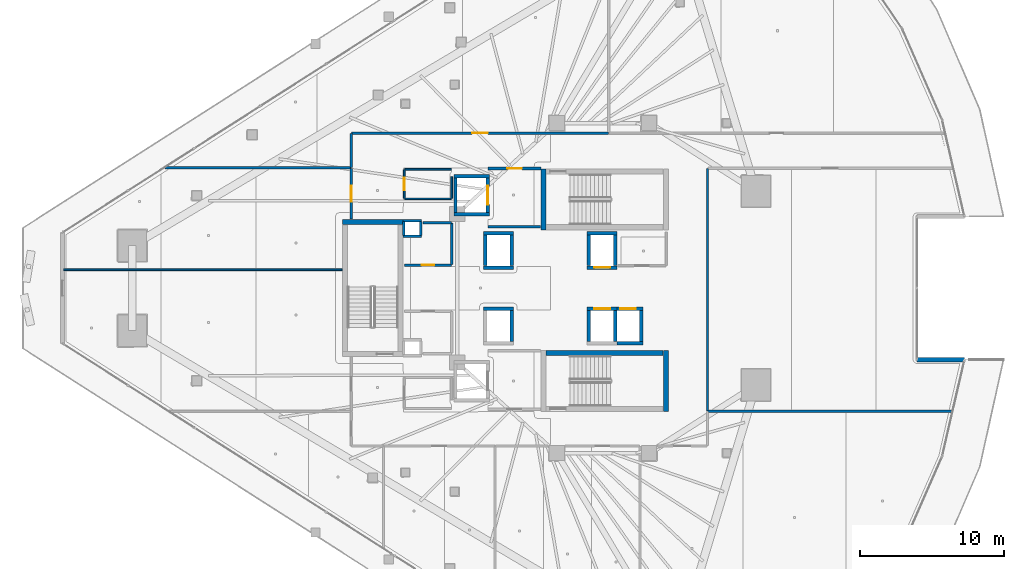
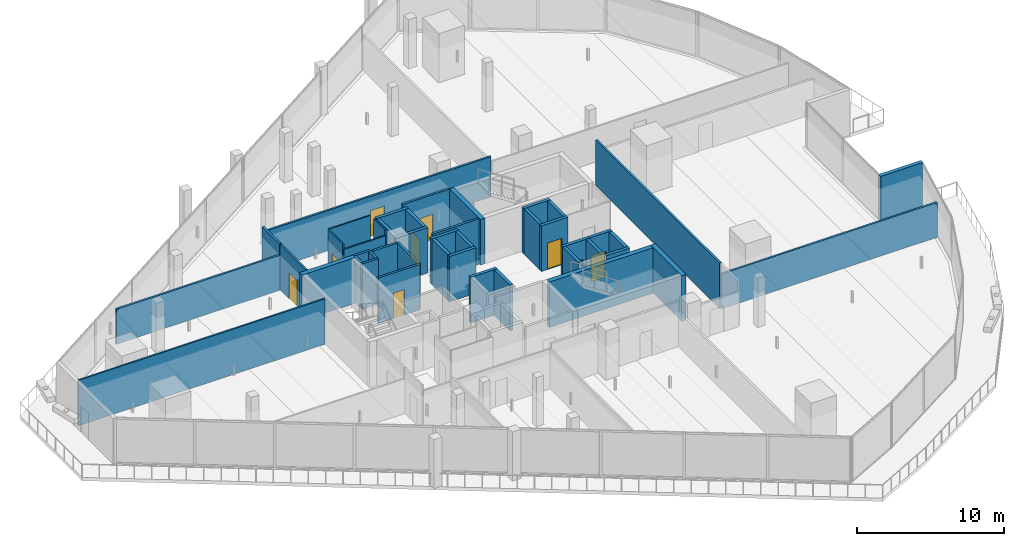
# One storey, part 28 of 42: 45 walls, 9 doors, 9 openings.
"""IFC4 building model written with IfcOpenShell, lengths in metres."""

from ifc_helpers import new_model, si_unit, direction, frame, frame_2d, origin, place, context, subcontext, project, spatial, rectangle, extrude, material, layer, layer_set, type_object, element, fill, save


model = new_model("IFC4")

# Units and contexts
model_context = context("Model", 3, precision=1e-05, world=origin(), true_north=direction((0.0, 1.0)))
body_context = subcontext(model_context, "Body", "Model", "MODEL_VIEW")
ifc_project = project(units=[si_unit("LENGTHUNIT", "METRE"), si_unit("AREAUNIT", "SQUARE_METRE"), si_unit("VOLUMEUNIT", "CUBIC_METRE"), si_unit("PLANEANGLEUNIT", "RADIAN"), si_unit("MASSUNIT", "GRAM", prefix="KILO")], contexts=[model_context])

# Site, building, storey
site_placement = place(None, origin())
site = spatial("IfcSite", under=ifc_project, at=site_placement, CompositionType="ELEMENT")
building_placement = place(site_placement, origin())
building = spatial("IfcBuilding", under=site, at=building_placement, Name="Qorvath Tower", CompositionType="ELEMENT")
storey_placement = place(building_placement, frame((0.0, 0.0, 117.89990234375)))
storey = spatial("IfcBuildingStorey", under=building, at=storey_placement, Name="L26", CompositionType="ELEMENT", Elevation=117.89990234375)

# Walls
ifc_material_1 = material(Name="Gypsum shaftliner on steel studs", Category="steel")
ifc_layer_1 = layer(ifc_material_1, 0.179931640625)
ifc_layer_set_1 = layer_set([ifc_layer_1], Name="FW-LOBBY")
wall_type_1 = type_object("IfcWallType", Name="FW-LOBBY", PredefinedType="PARTITIONING", material=ifc_layer_set_1)
for number, where, z_axis, x_axis, name in (
    (1, (-32.989990234375, 3.594970703125, 0.0), (0.0, 0.0, 1.0), (-1.0, 0.0, 0.0), "MEP Riser Shaft Enclosure Wall N-L26-S"),
    (2, (-34.260009765625, 4.675048828125, 0.0), (0.0, 0.0, 1.0), (1.0, 0.0, 0.0), "MEP Riser Shaft Enclosure Wall N-L26-N"),
):
    element("IfcWall", number, at=place(storey_placement, frame(where, z_axis=z_axis, x_axis=x_axis)), inside=storey, type_object=wall_type_1, Name=name, PredefinedType="PARTITIONING", context=body_context, shape_type="SweptSolid", body=[
        extrude(rectangle(XDim=1.27001953125, YDim=0.179931640625, at=frame_2d((0.635009765625, 0.0))), origin(), (0.0, 0.0, 1.0), 3.77001953125),
    ])
for number, where, z_axis, x_axis, name in (
    (3, (-34.205078125, 3.659912109375, 0.0), (0.0, 0.0, 1.0), (0.0, 1.0, 0.0), "MEP Riser Shaft Enclosure Wall N-L26-W"),
    (4, (-33.044921875, 4.610107421875, 0.0), (0.0, 0.0, 1.0), (0.0, -1.0, 0.0), "MEP Riser Shaft Enclosure Wall N-L26-E"),
):
    element("IfcWall", number, at=place(storey_placement, frame(where, z_axis=z_axis, x_axis=x_axis)), inside=storey, type_object=wall_type_1, Name=name, PredefinedType="PARTITIONING", context=body_context, shape_type="SweptSolid", body=[
        extrude(rectangle(XDim=0.9501953125, YDim=0.179931640625, at=frame_2d((0.47509765625, 0.0))), origin(), (0.0, 0.0, 1.0), 3.77001953125),
    ])
wall_1_placement = place(storey_placement, frame((-28.35498046875, 4.25, 0.0), z_axis=(0.0, 0.0, 1.0), x_axis=(1.0, 0.0, 0.0)))
element("IfcWall", 5, at=wall_1_placement, inside=storey, type_object=wall_type_1, Name="Interior Partition IW-T1-L26-001", PredefinedType="PARTITIONING", context=body_context, shape_type="SweptSolid", body=[
    extrude(rectangle(XDim=3.6220703125, YDim=0.179931640625, at=frame_2d((1.81103515625, 0.0))), origin(), (0.0, 0.0, 1.0), 3.77001953125),
])

# Wall, opening, door
wall_2_placement = place(storey_placement, frame((-24.68408203125, 8.300048828125, 0.0), z_axis=(0.0, 0.0, 1.0), x_axis=(-1.0, 0.0, 0.0)))
wall_2 = element("IfcWall", 6, at=wall_2_placement, inside=storey, type_object=wall_type_1, Name="Interior Partition IW-T1-L26-002", PredefinedType="PARTITIONING", context=body_context, shape_type="SweptSolid", body=[
    extrude(rectangle(XDim=3.6708984375, YDim=0.179931640625, at=frame_2d((1.83544921875, 0.0))), origin(), (0.0, 0.0, 1.0), 3.77001953125),
])
opening_1_placement = place(wall_2_placement, frame((1.33544921875, 0.0, 0.0)))
opening_1 = element("IfcOpeningElement", 7, at=opening_1_placement, cuts=wall_2, Name="Opening D-T1-L26-15", PredefinedType="OPENING", context=body_context, shape_type="SweptSolid", body=[
    extrude(rectangle(XDim=1.0, YDim=2.14990234375, at=frame_2d((0.5, 1.074951171875))), frame((0.0, 0.10009765625, 0.0), z_axis=(0.0, -1.0, 0.0), x_axis=(1.0, 0.0, 0.0)), (0.0, 0.0, 1.0), 0.199951171875),
])
ifc_material_2 = material(Name="Painted galvanised hollow metal", Category="steel")
door_type_1 = type_object("IfcDoorType", Name="FD-60", OperationType="NOTDEFINED", PredefinedType="DOOR", material=ifc_material_2)
door_1_placement = place(opening_1_placement, origin())
door_1 = element("IfcDoor", 8, at=door_1_placement, inside=storey, type_object=door_type_1, Name="Lobby Fire Service Elevator North Door D-T1-L26-15", OperationType="SINGLE_SWING_RIGHT", OverallHeight=2.14990234375, OverallWidth=1.0, PredefinedType="DOOR", context=body_context, shape_type="SweptSolid", body=[
    extrude(rectangle(XDim=1.0, YDim=2.14990234375, at=frame_2d((0.5, 1.074951171875))), frame((0.0, 0.02490234375, 0.0), z_axis=(0.0, -1.0, 0.0), x_axis=(1.0, 0.0, 0.0)), (0.0, 0.0, 1.0), 0.050048828125),
])
fill(opening_1, door_1)

wall_3_placement = place(storey_placement, frame((-34.15478515625, 1.60009765625, 0.0), z_axis=(0.0, 0.0, 1.0), x_axis=(1.0, 0.0, 0.0)))
wall_3 = element("IfcWall", 9, at=wall_3_placement, inside=storey, type_object=wall_type_1, Name="Interior Partition IW-T1-L26-015", PredefinedType="PARTITIONING", context=body_context, shape_type="SweptSolid", body=[
    extrude(rectangle(XDim=3.25, YDim=0.179931640625, at=frame_2d((1.625, 0.0))), origin(), (0.0, 0.0, 1.0), 3.77001953125),
])
opening_2_placement = place(wall_3_placement, frame((1.18505859375, 0.0, 0.0)))
opening_2 = element("IfcOpeningElement", 10, at=opening_2_placement, cuts=wall_3, Name="Opening D-T1-L26-04", PredefinedType="OPENING", context=body_context, shape_type="SweptSolid", body=[
    extrude(rectangle(XDim=0.8798828125, YDim=2.10009765625, at=frame_2d((0.43994140625, 1.050048828125))), frame((0.0, 0.10009765625, 0.0), z_axis=(0.0, -1.0, 0.0), x_axis=(1.0, 0.0, 0.0)), (0.0, 0.0, 1.0), 0.199951171875),
])
ifc_material_3 = material(Name="Painted galvanised hollow metal", Category="steel")
door_type_2 = type_object("IfcDoorType", Name="FD-60N", OperationType="NOTDEFINED", PredefinedType="DOOR", material=ifc_material_3)
door_2_placement = place(opening_2_placement, origin())
door_2 = element("IfcDoor", 11, at=door_2_placement, inside=storey, type_object=door_type_2, Name="Core telecom and comms room L26 Door D-T1-L26-04", OperationType="SINGLE_SWING_LEFT", OverallHeight=2.10009765625, OverallWidth=0.8798828125, PredefinedType="DOOR", context=body_context, shape_type="SweptSolid", body=[
    extrude(rectangle(XDim=0.8798828125, YDim=2.10009765625, at=frame_2d((0.43994140625, 1.050048828125))), frame((0.0, 0.02490234375, 0.0), z_axis=(0.0, -1.0, 0.0), x_axis=(1.0, 0.0, 0.0)), (0.0, 0.0, 1.0), 0.050048828125),
])
fill(opening_2, door_2)

# Walls
wall_4_placement = place(storey_placement, frame((-30.8798828125, 1.625, 0.0), z_axis=(0.0, 0.0, 1.0), x_axis=(0.0, 1.0, 0.0)))
element("IfcWall", 12, at=wall_4_placement, inside=storey, type_object=wall_type_1, Name="Interior Partition IW-T1-L26-016", PredefinedType="PARTITIONING", context=body_context, shape_type="SweptSolid", body=[
    extrude(rectangle(XDim=2.889892578125, YDim=0.179931640625, at=frame_2d((1.44482421875, 0.0))), origin(), (0.0, 0.0, 1.0), 3.77001953125),
])
wall_5_placement = place(storey_placement, frame((-30.90478515625, 4.5400390625, 0.0), z_axis=(0.0, 0.0, 1.0), x_axis=(-1.0, 0.0, 0.0)))
element("IfcWall", 13, at=wall_5_placement, inside=storey, type_object=wall_type_1, Name="Interior Partition IW-T1-L26-017", PredefinedType="PARTITIONING", context=body_context, shape_type="SweptSolid", body=[
    extrude(rectangle(XDim=1.97509765625, YDim=0.179931640625, at=frame_2d((0.987548828125, 0.0))), origin(), (0.0, 0.0, 1.0), 3.77001953125),
])
ifc_material_4 = material(Name="Double acoustic gypsum board on steel studs", Category="steel")
ifc_layer_2 = layer(ifc_material_4, 0.159912109375)
ifc_layer_set_2 = layer_set([ifc_layer_2], Name="IW-ACOUSTIC-160")
wall_type_2 = type_object("IfcWallType", Name="IW-ACOUSTIC-160", PredefinedType="PARTITIONING", material=ifc_layer_set_2)
wall_6_placement = place(storey_placement, frame((-50.76611328125, 8.35009765625, 0.0), z_axis=(0.0, 0.0, 1.0), x_axis=(1.0, 0.0, 0.0)))
element("IfcWall", 14, at=wall_6_placement, inside=storey, type_object=wall_type_2, Name="Interior Partition IW-T1-L26-021", PredefinedType="PARTITIONING", context=body_context, shape_type="SweptSolid", body=[
    extrude(rectangle(XDim=12.88330078125, YDim=0.159912109375, at=frame_2d((6.441650390625, 0.0))), origin(), (0.0, 0.0, 1.0), 2.889892578125),
])
wall_7_placement = place(storey_placement, frame((-37.85791015625, 10.733154296875, 0.0), z_axis=(0.0, 0.0, 1.0), x_axis=(0.0, -1.0, 0.0)))
element("IfcWall", 15, at=wall_7_placement, inside=storey, type_object=wall_type_2, Name="Interior Partition IW-T1-L26-022", PredefinedType="PARTITIONING", context=body_context, shape_type="SweptSolid", body=[
    extrude(rectangle(XDim=2.358154296875, YDim=0.159912109375, at=frame_2d((1.17919921875, 0.0))), origin(), (0.0, 0.0, 1.0), 3.77001953125),
])

# Wall, opening, door
wall_8_placement = place(storey_placement, frame((-37.8330078125, 10.758056640625, 0.0), z_axis=(0.0, 0.0, 1.0), x_axis=(1.0, 0.0, 0.0)))
wall_8 = element("IfcWall", 16, at=wall_8_placement, inside=storey, type_object=wall_type_2, Name="Interior Partition IW-T1-L26-023", PredefinedType="PARTITIONING", context=body_context, shape_type="SweptSolid", body=[
    extrude(rectangle(XDim=17.8154296875, YDim=0.159912109375, at=frame_2d((8.90771484375, 0.0))), origin(), (0.0, 0.0, 1.0), 3.333984375),
])
opening_3_placement = place(wall_8_placement, frame((8.357666015625, 0.0, 0.0)))
opening_3 = element("IfcOpeningElement", 17, at=opening_3_placement, cuts=wall_8, Name="Opening D-T1-L26-06", PredefinedType="OPENING", context=body_context, shape_type="SweptSolid", body=[
    extrude(rectangle(XDim=1.10009765625, YDim=2.14990234375, at=frame_2d((0.550048828125, 1.074951171875))), frame((0.0, 0.08984375, 0.0), z_axis=(0.0, -1.0, 0.0), x_axis=(1.0, 0.0, 0.0)), (0.0, 0.0, 1.0), 0.179931640625),
])
ifc_material_5 = material(Name="Anodised aluminium acoustic framed glass", Category="aluminium")
door_type_3 = type_object("IfcDoorType", Name="D-03", OperationType="NOTDEFINED", PredefinedType="DOOR", material=ifc_material_5)
door_3_placement = place(opening_3_placement, origin())
door_3 = element("IfcDoor", 18, at=door_3_placement, inside=storey, type_object=door_type_3, Name="L26-01 Client Services Office Door D-T1-L26-06", OperationType="SINGLE_SWING_LEFT", OverallHeight=2.14990234375, OverallWidth=1.10009765625, PredefinedType="DOOR", context=body_context, shape_type="SweptSolid", body=[
    extrude(rectangle(XDim=1.10009765625, YDim=2.14990234375, at=frame_2d((0.550048828125, 1.074951171875))), frame((0.0, 0.02490234375, 0.0), z_axis=(0.0, -1.0, 0.0), x_axis=(1.0, 0.0, 0.0)), (0.0, 0.0, 1.0), 0.050048828125),
])
fill(opening_3, door_3)

# Walls
wall_9_placement = place(storey_placement, frame((3.794189453125, -8.534423828125, 0.0), z_axis=(0.0, 0.0, 1.0), x_axis=(-0.999999573173, -0.000923933833, 0.0)))
element("IfcWall", 19, at=wall_9_placement, inside=storey, type_object=wall_type_2, Name="Interior Partition IW-T1-L26-035", PredefinedType="PARTITIONING", context=body_context, shape_type="SweptSolid", body=[
    extrude(rectangle(XDim=16.911376953125, YDim=0.159912109375, at=frame_2d((8.45556640625, 0.0))), origin(), (0.0, 0.0, 1.0), 2.885009765625),
])
wall_10_placement = place(storey_placement, frame((-13.14208984375, 8.287109375, 0.0), z_axis=(0.0, 0.0, 1.0), x_axis=(0.0, -1.0, 0.0)))
element("IfcWall", 20, at=wall_10_placement, inside=storey, type_object=wall_type_2, Name="Interior Partition IW-T1-L26-039", PredefinedType="PARTITIONING", context=body_context, shape_type="SweptSolid", body=[
    extrude(rectangle(XDim=16.80419921875, YDim=0.159912109375, at=frame_2d((8.402099609375, 0.0))), origin(), (0.0, 0.0, 1.0), 3.77001953125),
])

# Wall, opening, door
wall_11_placement = place(storey_placement, frame((-37.85791015625, 4.783203125, 0.0), z_axis=(0.0, 0.0, 1.0), x_axis=(0.0, 1.0, 0.0)))
wall_11 = element("IfcWall", 21, at=wall_11_placement, inside=storey, type_object=wall_type_2, Name="Interior Partition IW-T1-L26-042", PredefinedType="PARTITIONING", context=body_context, shape_type="SweptSolid", body=[
    extrude(rectangle(XDim=3.53369140625, YDim=0.159912109375, at=frame_2d((1.766845703125, 0.0))), origin(), (0.0, 0.0, 1.0), 3.77001953125),
])
opening_4_placement = place(wall_11_placement, frame((1.216796875, 0.0, 0.0)))
opening_4 = element("IfcOpeningElement", 22, at=opening_4_placement, cuts=wall_11, Name="Opening D-T1-L26-14", PredefinedType="OPENING", context=body_context, shape_type="SweptSolid", body=[
    extrude(rectangle(XDim=1.10009765625, YDim=2.14990234375, at=frame_2d((0.550048828125, 1.074951171875))), frame((0.0, 0.08984375, 0.0), z_axis=(0.0, -1.0, 0.0), x_axis=(1.0, 0.0, 0.0)), (0.0, 0.0, 1.0), 0.179931640625),
])
door_4_placement = place(opening_4_placement, origin())
door_4 = element("IfcDoor", 23, at=door_4_placement, inside=storey, type_object=door_type_3, Name="L26-09 Enclosed Conference Suite Door D-T1-L26-14", OperationType="SINGLE_SWING_LEFT", OverallHeight=2.14990234375, OverallWidth=1.10009765625, PredefinedType="DOOR", context=body_context, shape_type="SweptSolid", body=[
    extrude(rectangle(XDim=1.10009765625, YDim=2.14990234375, at=frame_2d((0.550048828125, 1.074951171875))), frame((0.0, 0.02490234375, 0.0), z_axis=(0.0, -1.0, 0.0), x_axis=(1.0, 0.0, 0.0)), (0.0, 0.0, 1.0), 0.050048828125),
])
fill(opening_4, door_4)

# Wall
ifc_material_6 = material(Name="Gypsum board on metal studs with mineral wool", Category="gypsum")
ifc_layer_3 = layer(ifc_material_6, 0.125)
ifc_layer_set_3 = layer_set([ifc_layer_3], Name="IW-PART-125")
wall_type_3 = type_object("IfcWallType", Name="IW-PART-125", PredefinedType="PARTITIONING", material=ifc_layer_set_3)
wall_12_placement = place(storey_placement, frame((-38.492919921875, 1.271484375, 0.0), z_axis=(0.0, 0.0, 1.0), x_axis=(-0.999999998722, 5.0556756e-05, 0.0)))
element("IfcWall", 24, at=wall_12_placement, inside=storey, type_object=wall_type_3, Name="Interior Partition IW-T1-L26-041", PredefinedType="PARTITIONING", context=body_context, shape_type="SweptSolid", body=[
    extrude(rectangle(XDim=19.316162109375, YDim=0.125, at=frame_2d((9.658203125, 0.0))), origin(), (0.0, 0.0, 1.0), 3.77001953125),
])

# Wall, opening, door
ifc_material_7 = material(Name="Moisture-resistant cement board on metal studs", Category="gypsum")
ifc_layer_4 = layer(ifc_material_7, 0.110107421875)
ifc_layer_set_4 = layer_set([ifc_layer_4], Name="IW-WC-110")
wall_type_4 = type_object("IfcWallType", Name="IW-WC-110", PredefinedType="PARTITIONING", material=ifc_layer_set_4)
wall_13_placement = place(storey_placement, frame((-34.179931640625, 8.22509765625, 0.0), z_axis=(0.0, 0.0, 1.0), x_axis=(0.0, -1.0, 0.0)))
wall_13 = element("IfcWall", 25, at=wall_13_placement, inside=storey, type_object=wall_type_4, Name="Interior Partition IW-T1-L26-005", PredefinedType="PARTITIONING", context=body_context, shape_type="SweptSolid", body=[
    extrude(rectangle(XDim=2.0, YDim=0.110107421875, at=frame_2d((1.0, 0.0))), origin(), (0.0, 0.0, 1.0), 3.77001953125),
])
opening_5_placement = place(wall_13_placement, frame((0.56005859375, 0.0, 0.0)))
opening_5 = element("IfcOpeningElement", 26, at=opening_5_placement, cuts=wall_13, Name="Opening D-T1-L26-01", PredefinedType="OPENING", context=body_context, shape_type="SweptSolid", body=[
    extrude(rectangle(XDim=0.8798828125, YDim=2.10009765625, at=frame_2d((0.43994140625, 1.050048828125))), frame((0.0, 0.06494140625, 0.0), z_axis=(0.0, -1.0, 0.0), x_axis=(1.0, 0.0, 0.0)), (0.0, 0.0, 1.0), 0.130126953125),
])
ifc_material_8 = material(Name="Solid-core oak with acoustic drop seal", Category="wood")
door_type_4 = type_object("IfcDoorType", Name="D-02", OperationType="NOTDEFINED", PredefinedType="DOOR", material=ifc_material_8)
door_5_placement = place(opening_5_placement, origin())
door_5 = element("IfcDoor", 27, at=door_5_placement, inside=storey, type_object=door_type_4, Name="WC All-Gender North L26 Door D-T1-L26-01", OperationType="SINGLE_SWING_RIGHT", OverallHeight=2.10009765625, OverallWidth=0.8798828125, PredefinedType="DOOR", context=body_context, shape_type="SweptSolid", body=[
    extrude(rectangle(XDim=0.8798828125, YDim=2.10009765625, at=frame_2d((0.43994140625, 1.050048828125))), frame((0.0, 0.02490234375, 0.0), z_axis=(0.0, -1.0, 0.0), x_axis=(1.0, 0.0, 0.0)), (0.0, 0.0, 1.0), 0.050048828125),
])
fill(opening_5, door_5)

# Walls
wall_14_placement = place(storey_placement, frame((-34.15478515625, 6.199951171875, 0.0), z_axis=(0.0, 0.0, 1.0), x_axis=(1.0, 0.0, 0.0)))
element("IfcWall", 28, at=wall_14_placement, inside=storey, type_object=wall_type_4, Name="Interior Partition IW-T1-L26-006", PredefinedType="PARTITIONING", context=body_context, shape_type="SweptSolid", body=[
    extrude(rectangle(XDim=3.25, YDim=0.110107421875, at=frame_2d((1.625, 0.0))), origin(), (0.0, 0.0, 1.0), 3.333984375),
])
wall_15_placement = place(storey_placement, frame((-30.8798828125, 6.22509765625, 0.0), z_axis=(0.0, 0.0, 1.0), x_axis=(0.0, 1.0, 0.0)))
element("IfcWall", 29, at=wall_15_placement, inside=storey, type_object=wall_type_4, Name="Interior Partition IW-T1-L26-007", PredefinedType="PARTITIONING", context=body_context, shape_type="SweptSolid", body=[
    extrude(rectangle(XDim=1.517822265625, YDim=0.110107421875, at=frame_2d((0.7587890625, 0.0))), origin(), (0.0, 0.0, 1.0), 3.77001953125),
])
wall_16_placement = place(storey_placement, frame((-30.90478515625, 8.25, 0.0), z_axis=(0.0, 0.0, 1.0), x_axis=(-1.0, 0.0, 0.0)))
element("IfcWall", 30, at=wall_16_placement, inside=storey, type_object=wall_type_4, Name="Interior Partition IW-T1-L26-008", PredefinedType="PARTITIONING", context=body_context, shape_type="SweptSolid", body=[
    extrude(rectangle(XDim=3.25, YDim=0.110107421875, at=frame_2d((1.625, 0.0))), origin(), (0.0, 0.0, 1.0), 3.77001953125),
])
ifc_material_9 = material(Name="Concrete C60/75", Category="concrete")
ifc_layer_5 = layer(ifc_material_9, 0.260009765625)
ifc_layer_set_5 = layer_set([ifc_layer_5], Name="SW-SHAFT")
wall_type_5 = type_object("IfcWallType", Name="SW-SHAFT", PredefinedType="SHEAR", material=ifc_layer_set_5)
for number, where, z_axis, x_axis, name in (
    (31, (-28.260009765625, 5.1298828125, 0.0), (0.0, 0.0, 1.0), (-1.0, 0.0, 0.0), "Hoistway Wall FSAE-1 L26 S"),
    (32, (-30.739990234375, 7.77001953125, 0.0), (0.0, 0.0, 1.0), (1.0, 0.0, 0.0), "Hoistway Wall FSAE-1 L26 N"),
):
    element("IfcWall", number, at=place(storey_placement, frame(where, z_axis=z_axis, x_axis=x_axis)), inside=storey, type_object=wall_type_5, Name=name, PredefinedType="SHEAR", context=body_context, shape_type="SweptSolid", body=[
        extrude(rectangle(XDim=2.47998046875, YDim=0.239990234375, at=frame_2d((1.239990234375, 0.0))), origin(), (0.0, 0.0, 1.0), 3.77001953125),
    ])
wall_17_placement = place(storey_placement, frame((-30.6201171875, 5.261962890625, 0.0), z_axis=(0.0, 0.0, 1.0), x_axis=(0.0, 1.0, 0.0)))
element("IfcWall", 33, at=wall_17_placement, inside=storey, type_object=wall_type_5, Name="Hoistway Wall FSAE-1 L26 W", PredefinedType="SHEAR", context=body_context, shape_type="SweptSolid", body=[
    extrude(rectangle(XDim=2.3759765625, YDim=0.239990234375, at=frame_2d((1.18798828125, 0.0))), origin(), (0.0, 0.0, 1.0), 3.77001953125),
])

# Wall, opening, door
wall_18_placement = place(storey_placement, frame((-28.3798828125, 7.637939453125, 0.0), z_axis=(0.0, 0.0, 1.0), x_axis=(0.0, -1.0, 0.0)))
wall_18 = element("IfcWall", 34, at=wall_18_placement, inside=storey, type_object=wall_type_5, Name="Hoistway Wall FSAE-1 L26 E", PredefinedType="SHEAR", context=body_context, shape_type="SweptSolid", body=[
    extrude(rectangle(XDim=2.3759765625, YDim=0.239990234375, at=frame_2d((1.18798828125, 0.0))), origin(), (0.0, 0.0, 1.0), 3.77001953125),
])
opening_6_placement = place(wall_18_placement, frame((0.537841796875, 0.0, 0.0)))
opening_6 = element("IfcOpeningElement", 35, at=opening_6_placement, cuts=wall_18, Name="Opening LD-FSAE-1-L26", PredefinedType="OPENING", context=body_context, shape_type="SweptSolid", body=[
    extrude(rectangle(XDim=1.300048828125, YDim=2.300048828125, at=frame_2d((0.64990234375, 1.14990234375))), frame((0.0, 0.1298828125, 0.0), z_axis=(0.0, -1.0, 0.0), x_axis=(1.0, 0.0, 0.0)), (0.0, 0.0, 1.0), 0.260009765625),
])
ifc_material_10 = material(Name="Brushed stainless steel AISI 316", Category="steel")
door_type_5 = type_object("IfcDoorType", Name="LD-02", OperationType="NOTDEFINED", PredefinedType="DOOR", material=ifc_material_10)
door_6_placement = place(opening_6_placement, origin())
door_6 = element("IfcDoor", 36, at=door_6_placement, inside=storey, type_object=door_type_5, Name="Elevator Landing Sliding Door LD-FSAE-1-L26", OperationType="DOUBLE_DOOR_SLIDING", OverallHeight=2.300048828125, OverallWidth=1.300048828125, PredefinedType="DOOR", context=body_context, shape_type="SweptSolid", body=[
    extrude(rectangle(XDim=1.300048828125, YDim=2.300048828125, at=frame_2d((0.64990234375, 1.14990234375))), frame((0.0, 0.02490234375, 0.0), z_axis=(0.0, -1.0, 0.0), x_axis=(1.0, 0.0, 0.0)), (0.0, 0.0, 1.0), 0.050048828125),
])
fill(opening_6, door_6)

# Walls
for number, where, z_axis, x_axis, name in (
    (37, (-26.610107421875, 1.429931640625, 0.0), (0.0, 0.0, 1.0), (-1.0, 0.0, 0.0), "Hoistway Wall PS-1 L26 S"),
    (38, (-28.68994140625, 3.820068359375, 0.0), (0.0, 0.0, 1.0), (1.0, 0.0, 0.0), "Hoistway Wall PS-1 L26 N"),
):
    element("IfcWall", number, at=place(storey_placement, frame(where, z_axis=z_axis, x_axis=x_axis)), inside=storey, type_object=wall_type_5, Name=name, PredefinedType="SHEAR", context=body_context, shape_type="SweptSolid", body=[
        extrude(rectangle(XDim=2.079833984375, YDim=0.239990234375, at=frame_2d((1.0400390625, 0.0))), origin(), (0.0, 0.0, 1.0), 3.77001953125),
    ])
for number, where, z_axis, x_axis, name in (
    (39, (-28.570068359375, 1.56201171875, 0.0), (0.0, 0.0, 1.0), (0.0, 1.0, 0.0), "Hoistway Wall PS-1 L26 W"),
    (40, (-26.72998046875, 3.68798828125, 0.0), (0.0, 0.0, 1.0), (0.0, -1.0, 0.0), "Hoistway Wall PS-1 L26 E"),
):
    element("IfcWall", number, at=place(storey_placement, frame(where, z_axis=z_axis, x_axis=x_axis)), inside=storey, type_object=wall_type_5, Name=name, PredefinedType="SHEAR", context=body_context, shape_type="SweptSolid", body=[
        extrude(rectangle(XDim=2.1259765625, YDim=0.239990234375, at=frame_2d((1.06298828125, 0.0))), origin(), (0.0, 0.0, 1.0), 3.77001953125),
    ])

# Wall, opening, door
wall_19_placement = place(storey_placement, frame((-19.409912109375, 1.429931640625, 0.0), z_axis=(0.0, 0.0, 1.0), x_axis=(-1.0, 0.0, 0.0)))
wall_19 = element("IfcWall", 41, at=wall_19_placement, inside=storey, type_object=wall_type_5, Name="Hoistway Wall PM-1 L26 S", PredefinedType="SHEAR", context=body_context, shape_type="SweptSolid", body=[
    extrude(rectangle(XDim=2.080078125, YDim=0.239990234375, at=frame_2d((1.0400390625, 0.0))), origin(), (0.0, 0.0, 1.0), 3.77001953125),
])
opening_7_placement = place(wall_19_placement, frame((0.489990234375, 0.0, 0.0)))
opening_7 = element("IfcOpeningElement", 42, at=opening_7_placement, cuts=wall_19, Name="Opening LD-PM-1-L26", PredefinedType="OPENING", context=body_context, shape_type="SweptSolid", body=[
    extrude(rectangle(XDim=1.10009765625, YDim=2.199951171875, at=frame_2d((0.550048828125, 1.10009765625))), frame((0.0, 0.1298828125, 0.0), z_axis=(0.0, -1.0, 0.0), x_axis=(1.0, 0.0, 0.0)), (0.0, 0.0, 1.0), 0.260009765625),
])
ifc_material_11 = material(Name="Brushed stainless steel AISI 316", Category="steel")
door_type_6 = type_object("IfcDoorType", Name="LD-01", OperationType="NOTDEFINED", PredefinedType="DOOR", material=ifc_material_11)
door_7_placement = place(opening_7_placement, origin())
door_7 = element("IfcDoor", 43, at=door_7_placement, inside=storey, type_object=door_type_6, Name="Elevator Landing Sliding Door LD-PM-1-L26", OperationType="DOUBLE_DOOR_SLIDING", OverallHeight=2.199951171875, OverallWidth=1.10009765625, PredefinedType="DOOR", context=body_context, shape_type="SweptSolid", body=[
    extrude(rectangle(XDim=1.10009765625, YDim=2.199951171875, at=frame_2d((0.550048828125, 1.10009765625))), frame((0.0, 0.02490234375, 0.0), z_axis=(0.0, -1.0, 0.0), x_axis=(1.0, 0.0, 0.0)), (0.0, 0.0, 1.0), 0.050048828125),
])
fill(opening_7, door_7)

# Walls
wall_20_placement = place(storey_placement, frame((-21.489990234375, 3.820068359375, 0.0), z_axis=(0.0, 0.0, 1.0), x_axis=(1.0, 0.0, 0.0)))
element("IfcWall", 44, at=wall_20_placement, inside=storey, type_object=wall_type_5, Name="Hoistway Wall PM-1 L26 N", PredefinedType="SHEAR", context=body_context, shape_type="SweptSolid", body=[
    extrude(rectangle(XDim=2.080078125, YDim=0.239990234375, at=frame_2d((1.0400390625, 0.0))), origin(), (0.0, 0.0, 1.0), 3.77001953125),
])
for number, where, z_axis, x_axis, name in (
    (45, (-21.3701171875, 1.56201171875, 0.0), (0.0, 0.0, 1.0), (0.0, 1.0, 0.0), "Hoistway Wall PM-1 L26 W"),
    (46, (-19.530029296875, 3.68798828125, 0.0), (0.0, 0.0, 1.0), (0.0, -1.0, 0.0), "Hoistway Wall PM-1 L26 E"),
):
    element("IfcWall", number, at=place(storey_placement, frame(where, z_axis=z_axis, x_axis=x_axis)), inside=storey, type_object=wall_type_5, Name=name, PredefinedType="SHEAR", context=body_context, shape_type="SweptSolid", body=[
        extrude(rectangle(XDim=2.1259765625, YDim=0.239990234375, at=frame_2d((1.06298828125, 0.0))), origin(), (0.0, 0.0, 1.0), 3.77001953125),
    ])
wall_21_placement = place(storey_placement, frame((-28.68994140625, -1.429931640625, 0.0), z_axis=(0.0, 0.0, 1.0), x_axis=(1.0, 0.0, 0.0)))
element("IfcWall", 47, at=wall_21_placement, inside=storey, type_object=wall_type_5, Name="Hoistway Wall PS-2 L26 N", PredefinedType="SHEAR", context=body_context, shape_type="SweptSolid", body=[
    extrude(rectangle(XDim=2.079833984375, YDim=0.239990234375, at=frame_2d((1.0400390625, 0.0))), origin(), (0.0, 0.0, 1.0), 3.77001953125),
])
wall_22_placement = place(storey_placement, frame((-26.72998046875, -1.56201171875, 0.0), z_axis=(0.0, 0.0, 1.0), x_axis=(0.0, -1.0, 0.0)))
element("IfcWall", 48, at=wall_22_placement, inside=storey, type_object=wall_type_5, Name="Hoistway Wall PS-2 L26 E", PredefinedType="SHEAR", context=body_context, shape_type="SweptSolid", body=[
    extrude(rectangle(XDim=2.1259765625, YDim=0.239990234375, at=frame_2d((1.06298828125, 0.0))), origin(), (0.0, 0.0, 1.0), 3.77001953125),
])

# Wall, opening, door
wall_23_placement = place(storey_placement, frame((-21.489990234375, -1.429931640625, 0.0), z_axis=(0.0, 0.0, 1.0), x_axis=(1.0, 0.0, 0.0)))
wall_23 = element("IfcWall", 49, at=wall_23_placement, inside=storey, type_object=wall_type_5, Name="Hoistway Wall PM-2 L26 N", PredefinedType="SHEAR", context=body_context, shape_type="SweptSolid", body=[
    extrude(rectangle(XDim=2.080078125, YDim=0.239990234375, at=frame_2d((1.0400390625, 0.0))), origin(), (0.0, 0.0, 1.0), 3.77001953125),
])
opening_8_placement = place(wall_23_placement, frame((0.489990234375, 0.0, 0.0)))
opening_8 = element("IfcOpeningElement", 50, at=opening_8_placement, cuts=wall_23, Name="Opening LD-PM-2-L26", PredefinedType="OPENING", context=body_context, shape_type="SweptSolid", body=[
    extrude(rectangle(XDim=1.10009765625, YDim=2.199951171875, at=frame_2d((0.550048828125, 1.10009765625))), frame((0.0, 0.1298828125, 0.0), z_axis=(0.0, -1.0, 0.0), x_axis=(1.0, 0.0, 0.0)), (0.0, 0.0, 1.0), 0.260009765625),
])
door_8_placement = place(opening_8_placement, origin())
door_8 = element("IfcDoor", 51, at=door_8_placement, inside=storey, type_object=door_type_6, Name="Elevator Landing Sliding Door LD-PM-2-L26", OperationType="DOUBLE_DOOR_SLIDING", OverallHeight=2.199951171875, OverallWidth=1.10009765625, PredefinedType="DOOR", context=body_context, shape_type="SweptSolid", body=[
    extrude(rectangle(XDim=1.10009765625, YDim=2.199951171875, at=frame_2d((0.550048828125, 1.10009765625))), frame((0.0, 0.02490234375, 0.0), z_axis=(0.0, -1.0, 0.0), x_axis=(1.0, 0.0, 0.0)), (0.0, 0.0, 1.0), 0.050048828125),
])
fill(opening_8, door_8)

# Walls
for number, where, z_axis, x_axis, name in (
    (52, (-21.3701171875, -3.68798828125, 0.0), (0.0, 0.0, 1.0), (0.0, 1.0, 0.0), "Hoistway Wall PM-2 L26 W"),
    (53, (-19.530029296875, -1.56201171875, 0.0), (0.0, 0.0, 1.0), (0.0, -1.0, 0.0), "Hoistway Wall PM-2 L26 E"),
):
    element("IfcWall", number, at=place(storey_placement, frame(where, z_axis=z_axis, x_axis=x_axis)), inside=storey, type_object=wall_type_5, Name=name, PredefinedType="SHEAR", context=body_context, shape_type="SweptSolid", body=[
        extrude(rectangle(XDim=2.1259765625, YDim=0.239990234375, at=frame_2d((1.06298828125, 0.0))), origin(), (0.0, 0.0, 1.0), 3.77001953125),
    ])
wall_24_placement = place(storey_placement, frame((-17.610107421875, -3.820068359375, 0.0), z_axis=(0.0, 0.0, 1.0), x_axis=(-1.0, 0.0, 0.0)))
element("IfcWall", 54, at=wall_24_placement, inside=storey, type_object=wall_type_5, Name="Hoistway Wall PM-3 L26 S", PredefinedType="SHEAR", context=body_context, shape_type="SweptSolid", body=[
    extrude(rectangle(XDim=1.7998046875, YDim=0.239990234375, at=frame_2d((0.89990234375, 0.0))), origin(), (0.0, 0.0, 1.0), 3.77001953125),
])

# Wall, opening, door
wall_25_placement = place(storey_placement, frame((-19.409912109375, -1.429931640625, 0.0), z_axis=(0.0, 0.0, 1.0), x_axis=(1.0, 0.0, 0.0)))
wall_25 = element("IfcWall", 55, at=wall_25_placement, inside=storey, type_object=wall_type_5, Name="Hoistway Wall PM-3 L26 N", PredefinedType="SHEAR", context=body_context, shape_type="SweptSolid", body=[
    extrude(rectangle(XDim=1.7998046875, YDim=0.239990234375, at=frame_2d((0.89990234375, 0.0))), origin(), (0.0, 0.0, 1.0), 3.77001953125),
])
opening_9_placement = place(wall_25_placement, frame((0.2099609375, 0.0, 0.0)))
opening_9 = element("IfcOpeningElement", 56, at=opening_9_placement, cuts=wall_25, Name="Opening LD-PM-3-L26", PredefinedType="OPENING", context=body_context, shape_type="SweptSolid", body=[
    extrude(rectangle(XDim=1.10009765625, YDim=2.199951171875, at=frame_2d((0.550048828125, 1.10009765625))), frame((0.0, 0.1298828125, 0.0), z_axis=(0.0, -1.0, 0.0), x_axis=(1.0, 0.0, 0.0)), (0.0, 0.0, 1.0), 0.260009765625),
])
door_9_placement = place(opening_9_placement, origin())
door_9 = element("IfcDoor", 57, at=door_9_placement, inside=storey, type_object=door_type_6, Name="Elevator Landing Sliding Door LD-PM-3-L26", OperationType="DOUBLE_DOOR_SLIDING", OverallHeight=2.199951171875, OverallWidth=1.10009765625, PredefinedType="DOOR", context=body_context, shape_type="SweptSolid", body=[
    extrude(rectangle(XDim=1.10009765625, YDim=2.199951171875, at=frame_2d((0.550048828125, 1.10009765625))), frame((0.0, 0.02490234375, 0.0), z_axis=(0.0, -1.0, 0.0), x_axis=(1.0, 0.0, 0.0)), (0.0, 0.0, 1.0), 0.050048828125),
])
fill(opening_9, door_9)

# Walls
wall_26_placement = place(storey_placement, frame((-17.72998046875, -1.56201171875, 0.0), z_axis=(0.0, 0.0, 1.0), x_axis=(0.0, -1.0, 0.0)))
element("IfcWall", 58, at=wall_26_placement, inside=storey, type_object=wall_type_5, Name="Hoistway Wall PM-3 L26 E", PredefinedType="SHEAR", context=body_context, shape_type="SweptSolid", body=[
    extrude(rectangle(XDim=2.1259765625, YDim=0.239990234375, at=frame_2d((1.06298828125, 0.0))), origin(), (0.0, 0.0, 1.0), 3.77001953125),
])
ifc_material_12 = material(Name="Concrete C60/75", Category="concrete")
ifc_layer_6 = layer(ifc_material_12, 0.35009765625)
ifc_layer_set_6 = layer_set([ifc_layer_6], Name="SW-STAIR")
wall_type_6 = type_object("IfcWallType", Name="SW-STAIR", PredefinedType="SHEAR", material=ifc_layer_set_6)
for number, where, z_axis, x_axis, name in (
    (59, (-24.52490234375, 8.260009765625, 0.0), (0.0, 0.0, 1.0), (0.0, -1.0, 0.0), "Stair TS1 Shear Wall L26 NEAR"),
    (60, (-16.02490234375, -8.550048828125, 0.0), (0.0, 0.0, 1.0), (0.0, 1.0, 0.0), "Stair TS2 Shear Wall L26 FAR"),
):
    element("IfcWall", number, at=place(storey_placement, frame(where, z_axis=z_axis, x_axis=x_axis)), inside=storey, type_object=wall_type_6, Name=name, PredefinedType="SHEAR", context=body_context, shape_type="SweptSolid", body=[
        extrude(rectangle(XDim=4.2099609375, YDim=0.35009765625, at=frame_2d((2.10498046875, 0.0))), origin(), (0.0, 0.0, 1.0), 3.77001953125),
    ])
wall_27_placement = place(storey_placement, frame((-16.215087890625, -4.514892578125, 0.0), z_axis=(0.0, 0.0, 1.0), x_axis=(-1.0, 0.0, 0.0)))
element("IfcWall", 61, at=wall_27_placement, inside=storey, type_object=wall_type_6, Name="Stair TS2 Shear Wall L26 RIGHT", PredefinedType="SHEAR", context=body_context, shape_type="SweptSolid", body=[
    extrude(rectangle(XDim=8.119873046875, YDim=0.35009765625, at=frame_2d((4.06005859375, 0.0))), origin(), (0.0, 0.0, 1.0), 3.77001953125),
])
wall_28_placement = place(storey_placement, frame((-34.25, 4.574951171875, 0.0), z_axis=(0.0, 0.0, 1.0), x_axis=(-1.0, 0.0, 0.0)))
element("IfcWall", 62, at=wall_28_placement, inside=storey, type_object=wall_type_6, Name="Stair TS3 Shear Wall L26 FAR", PredefinedType="SHEAR", context=body_context, shape_type="SweptSolid", body=[
    extrude(rectangle(XDim=4.2099609375, YDim=0.35009765625, at=frame_2d((2.10498046875, 0.0))), origin(), (0.0, 0.0, 1.0), 3.77001953125),
])
ifc_material_13 = material(Name="Precast concrete C45/55", Category="concrete")
ifc_layer_7 = layer(ifc_material_13, 0.300048828125)
ifc_layer_set_7 = layer_set([ifc_layer_7], Name="WL-EW-LOG-300")
wall_type_7 = type_object("IfcWallType", Name="WL-EW-LOG-300", PredefinedType="SOLIDWALL", material=ifc_layer_set_7)
wall_29_placement = place(storey_placement, frame((4.698974609375, -4.968017578125, 0.0), z_axis=(0.0, 0.0, 1.0), x_axis=(-1.0, 0.0, 0.0)))
element("IfcWall", 63, at=wall_29_placement, inside=storey, type_object=wall_type_7, Name="Tower Precast Loggia Wall L26-8.1", PredefinedType="SOLIDWALL", context=body_context, shape_type="SweptSolid", body=[
    extrude(rectangle(XDim=3.31201171875, YDim=0.300048828125, at=frame_2d((1.656005859375, 0.0))), origin(), (0.0, 0.0, 1.0), 3.77001953125),
])

save(model, "model.ifc")
